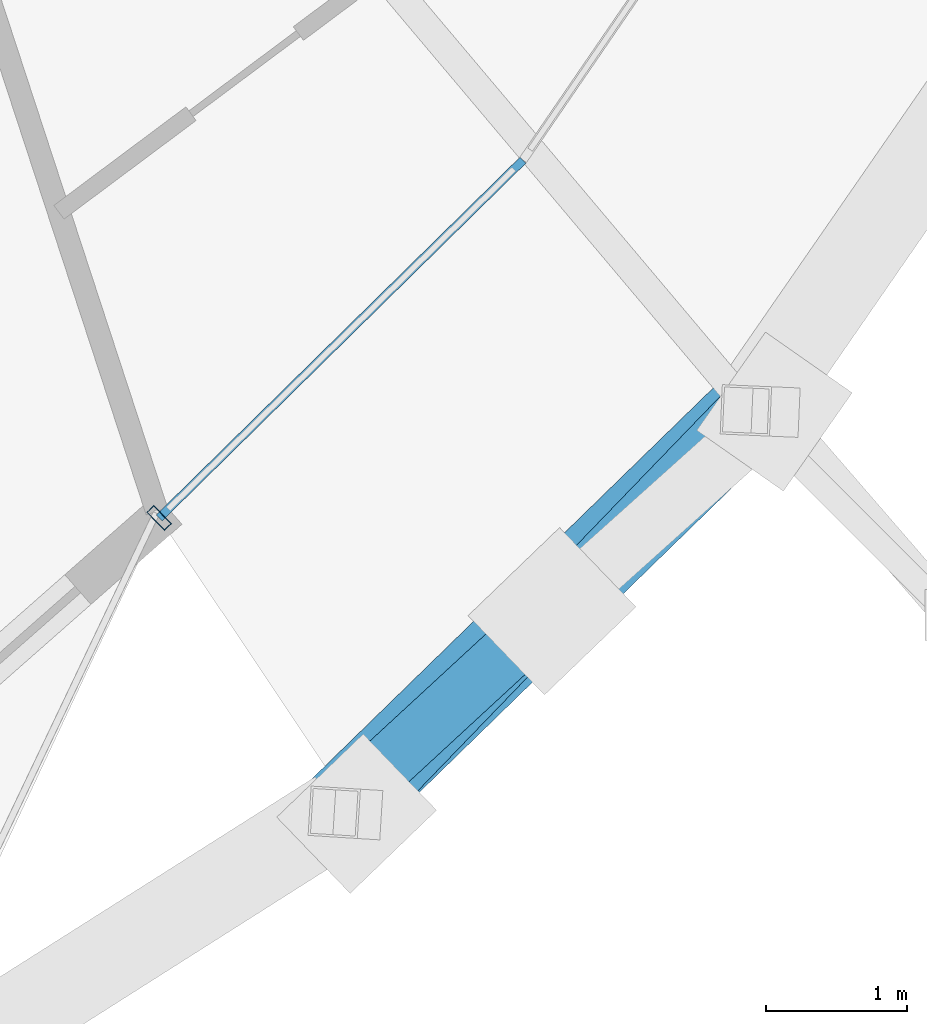
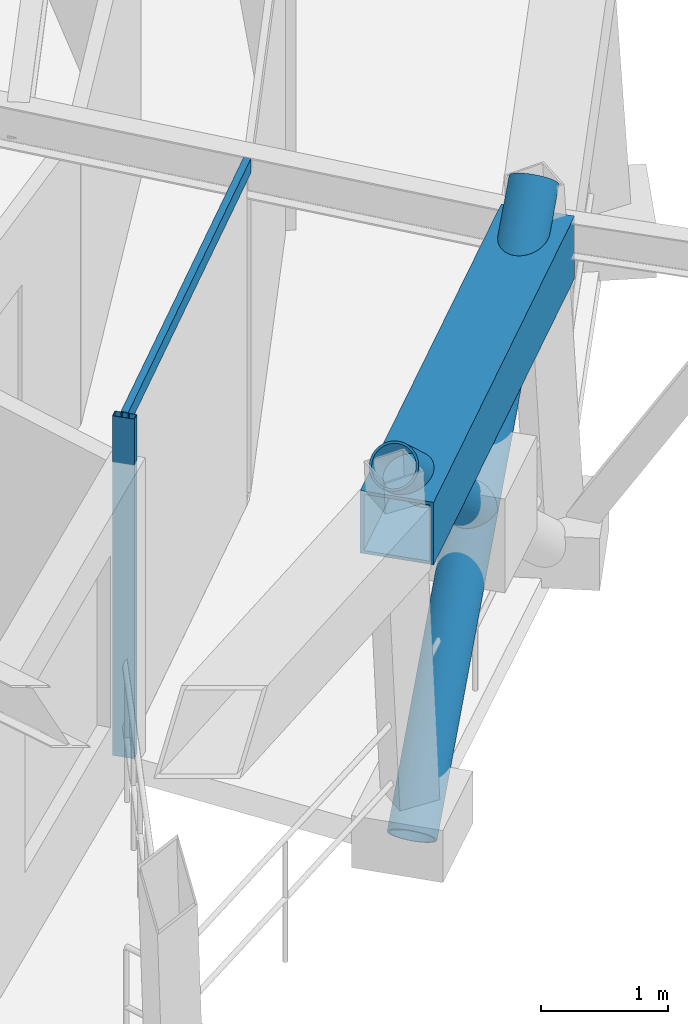
# One storey, part 2 of 14: 4 members, 1 beam, 1 element without a shape of its own.
"""IFC4 building model written with IfcOpenShell, lengths in metres."""

from ifc_helpers import new_model, si_unit, direction, frame, origin, origin_2d, place, context, subcontext, project, spatial, hollow_rectangle, hollow_circle, extrude, material, layer, layer_set, material_profile, profile_set, type_object, element, aggregate, save


model = new_model("IFC4")

# Units and contexts
model_context = context("Model", 3, precision=1e-05, world=origin(), true_north=direction((0.0, 1.0)))
body_context = subcontext(model_context, "Body", "Model", "MODEL_VIEW")
ifc_project = project(units=[si_unit("LENGTHUNIT", "METRE"), si_unit("AREAUNIT", "SQUARE_METRE"), si_unit("VOLUMEUNIT", "CUBIC_METRE"), si_unit("PLANEANGLEUNIT", "RADIAN"), si_unit("MASSUNIT", "GRAM", prefix="KILO")], contexts=[model_context])

# Site, building, storey
site_placement = place(None, origin())
site = spatial("IfcSite", under=ifc_project, at=site_placement, CompositionType="ELEMENT")
building_placement = place(site_placement, origin())
building = spatial("IfcBuilding", under=site, at=building_placement, Name="Veldorina Hangang Commons", CompositionType="ELEMENT")
storey_placement = place(building_placement, frame((0.0, 0.0, 294.0)))
storey = spatial("IfcBuildingStorey", under=building, at=storey_placement, Name="L77", CompositionType="ELEMENT", Elevation=294.0)

# Beam
ifc_material_1 = material(Name="Steel SM460-TMC", Category="steel")
ifc_material_profile_1 = material_profile(ifc_material_1, hollow_rectangle(XDim=0.60009765625, YDim=0.60009765625, WallThickness=0.030029296875, at=origin_2d()), Name="BOX-600x600x30")
ifc_profile_set_1 = profile_set([ifc_material_profile_1], Name="Steel SM460-TMC")
beam_type = type_object("IfcBeamType", Name="BM-BLT600", PredefinedType="BEAM", material=ifc_profile_set_1)
beam_placement = place(storey_placement, frame((42.72119140625, 4.95751953125, 3.0), z_axis=(0.716345315759, 0.697745934126, 0.0), x_axis=(-0.697745934126, 0.716345315759, 0.0)))
element("IfcBeam", 1, at=beam_placement, inside=storey, type_object=beam_type, Name="L77 perimeter hoop ring beam 27", PredefinedType="BEAM", context=body_context, shape_type="SweptSolid", body=[
    extrude(hollow_rectangle(XDim=0.60009765625, YDim=0.60009765625, WallThickness=0.030029296875, at=origin_2d()), origin(), (0.0, 0.0, 1.0), 4.082275390625),
])

# Curtain wall, members
ifc_material_2 = material(Name="Glass Low-E Selective", Category="glass")
ifc_layer = layer(ifc_material_2, 0.179931640625)
ifc_layer_set = layer_set([ifc_layer], Name="Glass Low-E Selective")
curtain_wall_type = type_object("IfcCurtainWallType", Name="CW-SYS-Z3", PredefinedType="NOTDEFINED", material=ifc_layer_set)
curtain_wall_placement = place(storey_placement, origin())
curtain_wall = element("IfcCurtainWall", 2, at=curtain_wall_placement, inside=storey, type_object=curtain_wall_type, Name="L77 unitised curtain wall CW-L77-R2", PredefinedType="NOTDEFINED")
ifc_material_3 = material(Name="Aluminium Anodized AA6063-T6", Category="aluminium")
ifc_material_profile_2 = material_profile(ifc_material_3, hollow_rectangle(XDim=0.070068359375, YDim=0.179931640625, WallThickness=0.00390625, at=origin_2d()), Name="ALU-RHS-180x70x4")
ifc_profile_set_2 = profile_set([ifc_material_profile_2], Name="Aluminium Anodized AA6063-T6")
member_type_1 = type_object("IfcMemberType", Name="CW-MUL-180", PredefinedType="MULLION", material=ifc_profile_set_2)
member_1_placement = place(storey_placement, frame((41.45361328125, 7.044677734375, 0.0), z_axis=(0.0, 0.0, 1.0), x_axis=(0.712956790403, 0.70120796845, 0.0)))
member_1 = element("IfcMember", 3, at=member_1_placement, type_object=member_type_1, Name="CW-L77-R2 vertical mullion 1", PredefinedType="MULLION", context=body_context, shape_type="SweptSolid", body=[
    extrude(hollow_rectangle(XDim=0.070068359375, YDim=0.179931640625, WallThickness=0.00390625, at=origin_2d()), origin(), (0.0, 0.0, 1.0), 3.260009765625),
])
ifc_material_profile_3 = material_profile(ifc_material_3, hollow_rectangle(XDim=0.06005859375, YDim=0.139892578125, WallThickness=0.00341796875, at=origin_2d()), Name="ALU-RHS-140x60x3.5")
ifc_profile_set_3 = profile_set([ifc_material_profile_3], Name="Aluminium Anodized AA6063-T6")
member_type_2 = type_object("IfcMemberType", Name="CW-TRN-140", PredefinedType="USERDEFINED", material=ifc_profile_set_3)
member_2_placement = place(storey_placement, frame((41.45361328125, 7.044677734375, 3.219970703125), z_axis=(0.712955615151, 0.701209163391, 0.0), x_axis=(-0.701209163391, 0.712955615151, 0.0)))
member_2 = element("IfcMember", 4, at=member_2_placement, type_object=member_type_2, Name="CW-L77-R2 facet 1 transom 1", ObjectType="TRANSOM", PredefinedType="USERDEFINED", context=body_context, shape_type="SweptSolid", body=[
    extrude(hollow_rectangle(XDim=0.06005859375, YDim=0.139892578125, WallThickness=0.00341796875, at=origin_2d()), origin(), (0.0, 0.0, 1.0), 3.616455078125),
])
aggregate(curtain_wall, [member_1, member_2])

# Members
ifc_material_4 = material(Name="Steel SM355-TMC", Category="steel")
ifc_material_profile_4 = material_profile(ifc_material_4, hollow_circle(Radius=0.199951171875, WallThickness=0.02001953125, at=origin_2d()), Name="CHS-400x20")
ifc_profile_set_4 = profile_set([ifc_material_profile_4], Name="Steel SM355-TMC")
member_type_3 = type_object("IfcMemberType", Name="DG-CHS400", PredefinedType="BRACE", material=ifc_profile_set_4)
member_3_placement = place(storey_placement, frame((42.853515625, 4.94921875, 0.0), z_axis=(0.514533388058, 0.533160061426, 0.671562165011), x_axis=(-0.719564539118, 0.694425571278, 0.0)))
element("IfcMember", 5, at=member_3_placement, inside=storey, type_object=member_type_3, Name="L77 continuous perimeter diagrid brace 27", PredefinedType="BRACE", context=body_context, shape_type="SweptSolid", body=[
    extrude(hollow_circle(Radius=0.199951171875, WallThickness=0.02001953125, at=origin_2d()), origin(), (0.0, 0.0, 1.0), 5.36083984375),
])
member_4_placement = place(storey_placement, frame((44.238037109375, 6.3837890625, 1.80712890625), z_axis=(-0.558901953681, -0.515848291637, 0.64925275986), x_axis=(0.678236652334, -0.734843550309, 0.0)))
element("IfcMember", 6, at=member_4_placement, inside=storey, type_object=member_type_3, Name="L77 split perimeter diagrid upper brace 28", PredefinedType="BRACE", context=body_context, shape_type="SweptSolid", body=[
    extrude(hollow_circle(Radius=0.199951171875, WallThickness=0.02001953125, at=origin_2d()), origin(), (0.0, 0.0, 1.0), 2.761474609375),
])

save(model, "model.ifc")
